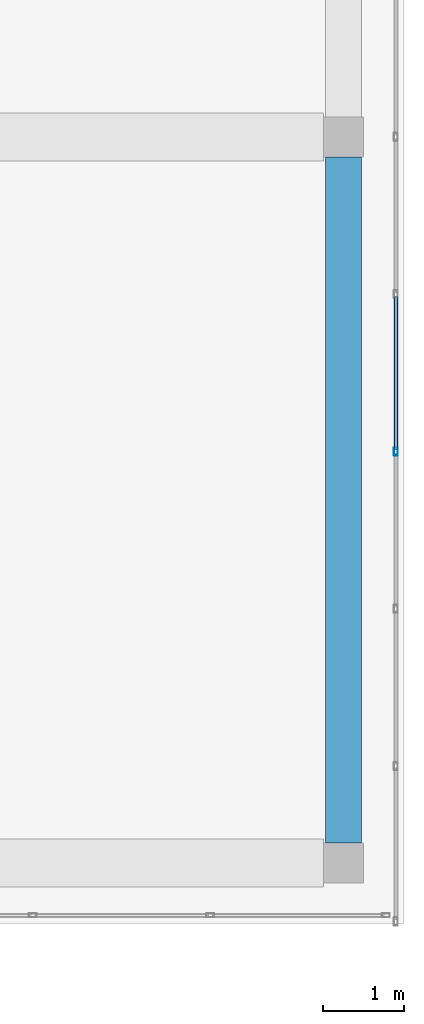
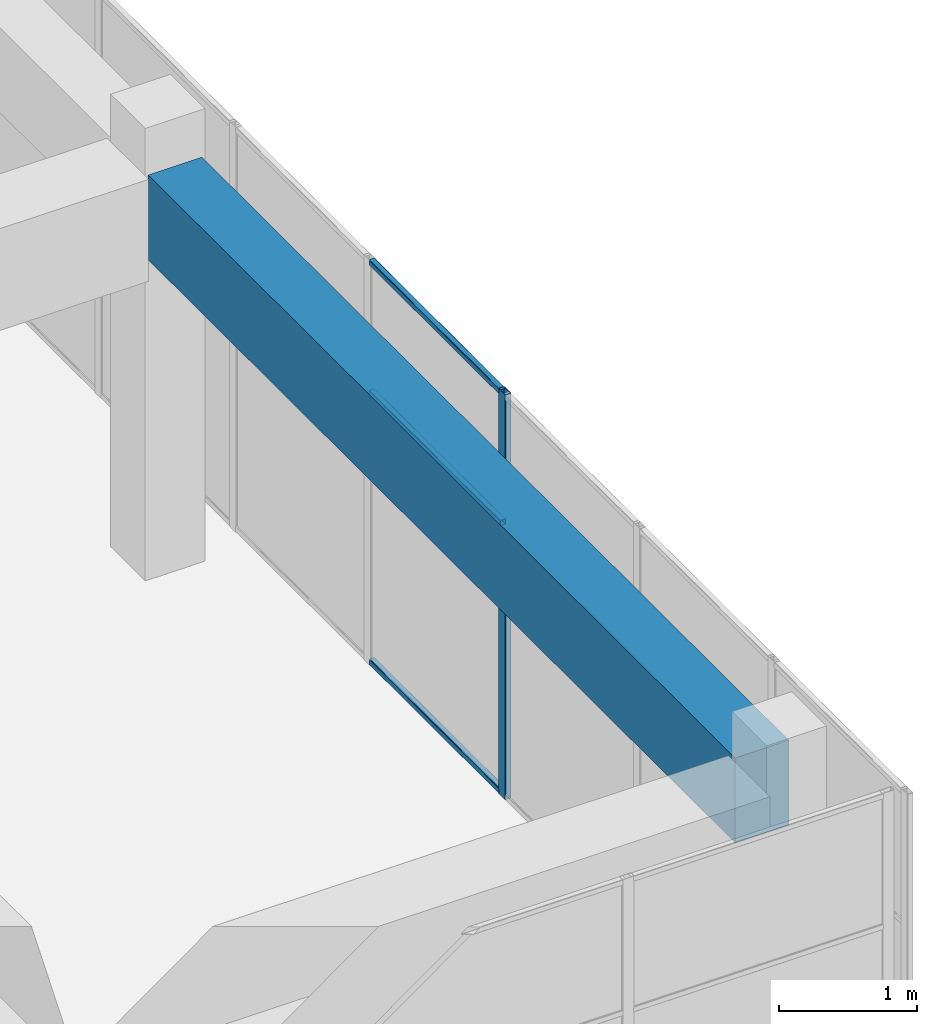
# One storey, part 17 of 36: 4 members, 1 beam, 1 element without a shape of its own.
"""IFC4 building model written with IfcOpenShell, lengths in metres."""

import ifcopenshell
import ifcopenshell.guid

model = None  # the IFC model being written
_history = None  # IfcOwnerHistory: only IFC2X3 demands one
_inside = {}  # id of a spatial element -> (the spatial element, [elements in it])
_under = {}  # id of a project, library or spatial element -> (it, [spatial elements below it])
_declared = {}  # id of a project -> (the project, [libraries it declares])
_typed = {}  # id of a type object -> (the type object, [elements of that type])
_made_of = {}  # id of a material, layer set ... -> (it, [elements and type objects made of it])


def new_model(schema):
    """Start an empty IFC model of exactly this schema.

    Asked for "IFC4X3", IfcOpenShell would pick the latest addendum, in which some entities
    have other attributes; the version numbers below select the first issue.
    IFC2X3 requires an IfcOwnerHistory on every rooted entity: one is made here for all.
    """
    global model, _history
    if schema == "IFC4X3":
        model = ifcopenshell.file(schema_version=(4, 3, 0, 0))
    else:
        model = ifcopenshell.file(schema=schema)
    _inside.clear()
    _under.clear()
    _declared.clear()
    _typed.clear()
    _made_of.clear()
    _history = None
    if model.schema == "IFC2X3":
        org = make("IfcOrganization", Name="unknown")
        user = make(
            "IfcPersonAndOrganization",
            ThePerson=make("IfcPerson", FamilyName="unknown"),
            TheOrganization=org,
        )
        app = make(
            "IfcApplication",
            ApplicationDeveloper=org,
            Version="unknown",
            ApplicationFullName="unknown",
            ApplicationIdentifier="unknown",
        )
        _history = make(
            "IfcOwnerHistory",
            OwningUser=user,
            OwningApplication=app,
            ChangeAction="ADDED",
            CreationDate=0,
        )
    return model


def make(cls, **values):
    """One entity of the class cls with the attributes given. An attribute that is None is left unset."""
    return model.create_entity(
        cls, **{name: value for name, value in values.items() if value is not None}
    )


def rooted(cls, **values):
    """An entity with a GlobalId (a new one), such as an element, a storey or a relation."""
    return make(cls, GlobalId=ifcopenshell.guid.new(), OwnerHistory=_history, **values)


def si_unit(unit_type, name, prefix=None):
    """IfcSIUnit, for example si_unit("LENGTHUNIT", "METRE", prefix="MILLI")."""
    return make("IfcSIUnit", UnitType=unit_type, Prefix=prefix, Name=name)


def assignment(units):
    """IfcUnitAssignment: the units of a project."""
    return None if units is None else make("IfcUnitAssignment", Units=units)


def point(xyz):
    """IfcCartesianPoint."""
    return None if xyz is None else make("IfcCartesianPoint", Coordinates=xyz)


def direction(xyz):
    """IfcDirection."""
    return None if xyz is None else make("IfcDirection", DirectionRatios=xyz)


def frame(location, z_axis=None, x_axis=None):
    """IfcAxis2Placement3D, a coordinate frame: its origin and axes. An axis left out is left unset."""
    return make(
        "IfcAxis2Placement3D",
        Location=point(location),
        Axis=direction(z_axis),
        RefDirection=direction(x_axis),
    )


def frame_2d(location, x_axis=None):
    """IfcAxis2Placement2D, a coordinate frame in the plane: its origin and x axis."""
    return make(
        "IfcAxis2Placement2D", Location=point(location), RefDirection=direction(x_axis)
    )


def origin():
    """The frame at (0, 0, 0) with its axes left unset."""
    return frame((0.0, 0.0, 0.0))


def origin_2d():
    """The frame at (0, 0) in the plane with its x axis left unset."""
    return frame_2d((0.0, 0.0))


def place(relative_to, where):
    """IfcLocalPlacement: puts the frame where relative to a parent placement (None: the world)."""
    return make(
        "IfcLocalPlacement", PlacementRelTo=relative_to, RelativePlacement=where
    )


def context(
    kind, dimensions, precision=None, world=None, true_north=None, identifier=None
):
    """IfcGeometricRepresentationContext, for example the 3D "Model" context."""
    return make(
        "IfcGeometricRepresentationContext",
        ContextIdentifier=identifier,
        ContextType=kind,
        CoordinateSpaceDimension=dimensions,
        Precision=precision,
        WorldCoordinateSystem=world,
        TrueNorth=true_north,
    )


def subcontext(parent, identifier, kind, view, scale=None):
    """IfcGeometricRepresentationSubContext, for example "Body" below "Model"."""
    return make(
        "IfcGeometricRepresentationSubContext",
        ContextIdentifier=identifier,
        ContextType=kind,
        ParentContext=parent,
        TargetScale=scale,
        TargetView=view,
    )


def project(units=None, contexts=None):
    """IfcProject with its units and contexts."""
    return rooted(
        "IfcProject",
        Name="project",
        RepresentationContexts=contexts,
        UnitsInContext=assignment(units),
    )


def spatial(cls, under=None, at=None, **own):
    """A site, building, storey or space (cls), placed at a placement, below another one or the project."""
    s = rooted(cls, ObjectPlacement=at, **own)
    if under is not None:
        _under.setdefault(under.id(), (under, []))[1].append(s)
    return s


def profile(cls, at=None, kind="AREA", **sizes):
    """A parametric profile (cls). Its sizes go by their IFC names, for example OverallWidth=200.0."""
    return make(cls, ProfileType=kind, Position=at, **sizes)


def rectangle(**sizes):
    """IfcRectangleProfileDef."""
    return profile("IfcRectangleProfileDef", **sizes)


def hollow_rectangle(**sizes):
    """IfcRectangleHollowProfileDef."""
    return profile("IfcRectangleHollowProfileDef", **sizes)


def extrude(swept, where, along, depth):
    """IfcExtrudedAreaSolid: the profile swept, set in the frame where, extruded along a direction by depth."""
    return make(
        "IfcExtrudedAreaSolid",
        SweptArea=swept,
        Position=where,
        ExtrudedDirection=direction(along),
        Depth=depth,
    )


def shape(context_of_items, identifier, shape_type, items):
    """IfcShapeRepresentation: the items that make up one representation, for example the "Body"."""
    return make(
        "IfcShapeRepresentation",
        ContextOfItems=context_of_items,
        RepresentationIdentifier=identifier,
        RepresentationType=shape_type,
        Items=items,
    )


def material(Name=None, Category=None):
    """IfcMaterial."""
    return make("IfcMaterial", Name=Name, Category=Category)


def layer(
    of_material, thickness, ventilated=None, Name=None, Category=None, Priority=None
):
    """IfcMaterialLayer: one layer of a wall or slab, of a material (None: an air gap)."""
    return make(
        "IfcMaterialLayer",
        Material=of_material,
        LayerThickness=thickness,
        IsVentilated=ventilated,
        Name=Name,
        Category=Category,
        Priority=Priority,
    )


def layer_set(layers, Name=None):
    """IfcMaterialLayerSet."""
    return make("IfcMaterialLayerSet", MaterialLayers=layers, LayerSetName=Name)


def material_profile(
    of_material, cross_section, Name=None, Category=None, Priority=None
):
    """IfcMaterialProfile: a cross section and its material."""
    return make(
        "IfcMaterialProfile",
        Name=Name,
        Material=of_material,
        Profile=cross_section,
        Priority=Priority,
        Category=Category,
    )


def profile_set(profiles, Name=None, composite=None):
    """IfcMaterialProfileSet."""
    return make(
        "IfcMaterialProfileSet",
        Name=Name,
        MaterialProfiles=profiles,
        CompositeProfile=composite,
    )


def made_of(thing, what):
    """Note that an element or type object is made of a material, layer set ...; save() writes the relation."""
    if what is not None:
        _made_of.setdefault(what.id(), (what, []))[1].append(thing)
    return thing


def type_object(cls, material=None, **own):
    """A type object (cls), such as IfcWallType, which elements share."""
    return made_of(rooted(cls, **own), material)


def element(
    cls,
    number,
    at=None,
    inside=None,
    cuts=None,
    type_object=None,
    material=None,
    context=None,
    identifier="Body",
    shape_type=None,
    held_by="IfcProductDefinitionShape",
    body=None,
    shapes=None,
    **own,
):
    """One element of the class cls, such as IfcWall. Its Tag is "e" and its number.

    at: its placement. inside: the storey or other place that contains it. cuts: it is an
    opening in that element (IfcRelVoidsElement). A single representation is given by context,
    identifier, shape_type and body (its items); several are given by shapes. held_by: the class
    of the entity that holds the representations. save() writes the other relations.
    """
    e = rooted(cls, Tag="e%d" % number, ObjectPlacement=at, **own)
    if body is not None:
        shapes = [shape(context, identifier, shape_type, body)]
    if shapes is not None:
        e.Representation = make(held_by, Representations=shapes)
    if inside is not None:
        _inside.setdefault(inside.id(), (inside, []))[1].append(e)
    if cuts is not None:
        rooted(
            "IfcRelVoidsElement", RelatingBuildingElement=cuts, RelatedOpeningElement=e
        )
    if type_object is not None:
        _typed.setdefault(type_object.id(), (type_object, []))[1].append(e)
    return made_of(e, material)


def aggregate(whole, parts):
    """IfcRelAggregates: a whole, such as a stair, and the parts it consists of."""
    return rooted("IfcRelAggregates", RelatingObject=whole, RelatedObjects=parts)


def save(model, path):
    """Write the relations noted so far, then the file.

    IfcRelAggregates (storeys below a building ...), IfcRelContainedInSpatialStructure (elements
    in a storey), IfcRelDefinesByType, IfcRelAssociatesMaterial and IfcRelDeclares: one each for
    every whole, place, type object, material and project.
    """
    for whole, parts in _under.values():
        aggregate(whole, parts)
    for where, things in _inside.values():
        rooted(
            "IfcRelContainedInSpatialStructure",
            RelatedElements=things,
            RelatingStructure=where,
        )
    for kind, things in _typed.values():
        rooted("IfcRelDefinesByType", RelatedObjects=things, RelatingType=kind)
    for what, things in _made_of.values():
        rooted("IfcRelAssociatesMaterial", RelatedObjects=things, RelatingMaterial=what)
    for by, libraries in _declared.values():
        rooted("IfcRelDeclares", RelatingContext=by, RelatedDefinitions=libraries)
    model.write(path)


model = new_model("IFC4")

# Units and contexts
model_context = context("Model", 3, precision=1e-05, world=origin(), true_north=direction((0.0, 1.0)))
body_context = subcontext(model_context, "Body", "Model", "MODEL_VIEW")
ifc_project = project(units=[si_unit("LENGTHUNIT", "METRE"), si_unit("AREAUNIT", "SQUARE_METRE"), si_unit("VOLUMEUNIT", "CUBIC_METRE"), si_unit("PLANEANGLEUNIT", "RADIAN"), si_unit("MASSUNIT", "GRAM", prefix="KILO")], contexts=[model_context])

# Site, building, storey
site_placement = place(None, origin())
site = spatial("IfcSite", under=ifc_project, at=site_placement, CompositionType="ELEMENT")
building_placement = place(site_placement, origin())
building = spatial("IfcBuilding", under=site, at=building_placement, Name="Tuart Plaza Theatre", CompositionType="ELEMENT")
storey_placement = place(building_placement, frame((0.0, 0.0, 61.5)))
storey = spatial("IfcBuildingStorey", under=building, at=storey_placement, Name="L15", CompositionType="ELEMENT", Elevation=61.5)

# Beam
ifc_material_1 = material(Name="Concrete N40 (40 MPa)", Category="concrete")
ifc_material_profile_1 = material_profile(ifc_material_1, rectangle(XDim=0.449951171875, YDim=0.75, at=origin_2d()), Name="BEAM 450x750 Concrete N40 (40 MPa)")
ifc_profile_set_1 = profile_set([ifc_material_profile_1], Name="Concrete N40 (40 MPa)")
beam_type = type_object("IfcBeamType", Name="BEAM 450x750 Concrete N40 (40 MPa)", PredefinedType="BEAM", material=ifc_profile_set_1)
beam_placement = place(storey_placement, frame((150.0, 65.25, 3.205078125), z_axis=(0.0, 1.0, 0.0), x_axis=(-1.0, 0.0, 0.0)))
element("IfcBeam", 1, at=beam_placement, inside=storey, type_object=beam_type, Name="RB345", PredefinedType="BEAM", context=body_context, shape_type="SweptSolid", body=[
    extrude(rectangle(XDim=0.449951171875, YDim=0.75, at=origin_2d()), origin(), (0.0, 0.0, 1.0), 8.5),
])

# Curtain wall, members
ifc_material_2 = material(Name="Aluminium and glass", Category="aluminium")
ifc_layer = layer(ifc_material_2, 0.10009765625)
ifc_layer_set = layer_set([ifc_layer], Name="CURTAIN WALL 2000 module")
curtain_wall_type = type_object("IfcCurtainWallType", Name="CURTAIN WALL 2000 module", PredefinedType="NOTDEFINED", material=ifc_layer_set)
curtain_wall_placement = place(storey_placement, origin())
curtain_wall = element("IfcCurtainWall", 2, at=curtain_wall_placement, inside=storey, type_object=curtain_wall_type, Name="CW114", PredefinedType="NOTDEFINED")
ifc_material_3 = material(Name="Aluminium 6063-T5", Category="aluminium")
ifc_material_profile_2 = material_profile(ifc_material_3, hollow_rectangle(XDim=0.050048828125, YDim=0.10009765625, WallThickness=0.00390625, InnerFilletRadius=0.00390625, OuterFilletRadius=0.008056640625, at=origin_2d()), Name="RHS 100x50x4")
ifc_profile_set_2 = profile_set([ifc_material_profile_2], Name="Aluminium 6063-T5")
member_type_1 = type_object("IfcMemberType", Name="MULLION RHS 100x50x4", PredefinedType="MULLION", material=ifc_profile_set_2)
member_1_placement = place(storey_placement, frame((150.64990234375, 70.10009765625, 0.0), z_axis=(0.0, 0.0, 1.0), x_axis=(-1.0, 0.0, 0.0)))
member_1 = element("IfcMember", 3, at=member_1_placement, type_object=member_type_1, Name="CW114 mullion 4", PredefinedType="MULLION", context=body_context, shape_type="SweptSolid", body=[
    extrude(hollow_rectangle(XDim=0.050048828125, YDim=0.10009765625, WallThickness=0.00390625, InnerFilletRadius=0.00390625, OuterFilletRadius=0.008056640625, at=origin_2d()), origin(), (0.0, 0.0, 1.0), 3.580078125),
])
ifc_material_4 = material(Name="Aluminium 6063-T5", Category="aluminium")
ifc_material_profile_3 = material_profile(ifc_material_4, hollow_rectangle(XDim=0.050048828125, YDim=0.050048828125, WallThickness=0.00390625, InnerFilletRadius=0.00390625, OuterFilletRadius=0.008056640625, at=origin_2d()), Name="RHS 50x50x4")
ifc_profile_set_3 = profile_set([ifc_material_profile_3], Name="Aluminium 6063-T5")
member_type_2 = type_object("IfcMemberType", Name="TRANSOM RHS 50x50x4", PredefinedType="USERDEFINED", material=ifc_profile_set_3)
member_2_placement = place(storey_placement, frame((150.64990234375, 70.125, 0.02490234375), z_axis=(0.0, 1.0, 0.0), x_axis=(-1.0, 0.0, 0.0)))
member_2 = element("IfcMember", 4, at=member_2_placement, type_object=member_type_2, Name="CW114 transom 4.1", ObjectType="TRANSOM", PredefinedType="USERDEFINED", context=body_context, shape_type="SweptSolid", body=[
    extrude(hollow_rectangle(XDim=0.050048828125, YDim=0.050048828125, WallThickness=0.00390625, InnerFilletRadius=0.00390625, OuterFilletRadius=0.008056640625, at=origin_2d()), origin(), (0.0, 0.0, 1.0), 1.89990234375),
])
member_3_placement = place(storey_placement, frame((150.64990234375, 70.125, 2.39990234375), z_axis=(0.0, 1.0, 0.0), x_axis=(-1.0, 0.0, 0.0)))
member_3 = element("IfcMember", 5, at=member_3_placement, type_object=member_type_2, Name="CW114 transom 4.2", ObjectType="TRANSOM", PredefinedType="USERDEFINED", context=body_context, shape_type="SweptSolid", body=[
    extrude(hollow_rectangle(XDim=0.050048828125, YDim=0.050048828125, WallThickness=0.00390625, InnerFilletRadius=0.00390625, OuterFilletRadius=0.008056640625, at=origin_2d()), origin(), (0.0, 0.0, 1.0), 1.89990234375),
])
member_4_placement = place(storey_placement, frame((150.64990234375, 70.125, 3.554931640625), z_axis=(0.0, 1.0, 0.0), x_axis=(-1.0, 0.0, 0.0)))
member_4 = element("IfcMember", 6, at=member_4_placement, type_object=member_type_2, Name="CW114 transom 4.3", ObjectType="TRANSOM", PredefinedType="USERDEFINED", context=body_context, shape_type="SweptSolid", body=[
    extrude(hollow_rectangle(XDim=0.050048828125, YDim=0.050048828125, WallThickness=0.00390625, InnerFilletRadius=0.00390625, OuterFilletRadius=0.008056640625, at=origin_2d()), origin(), (0.0, 0.0, 1.0), 1.89990234375),
])
aggregate(curtain_wall, [member_1, member_2, member_3, member_4])

save(model, "model.ifc")
